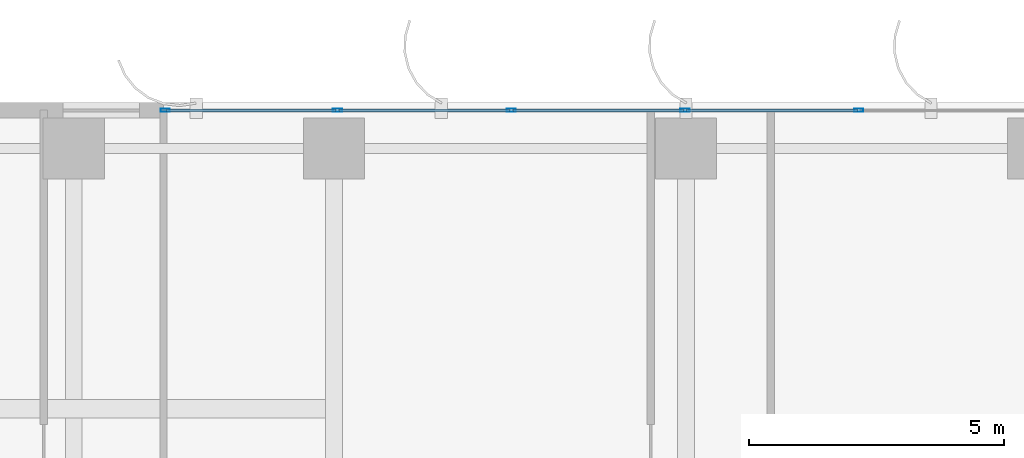
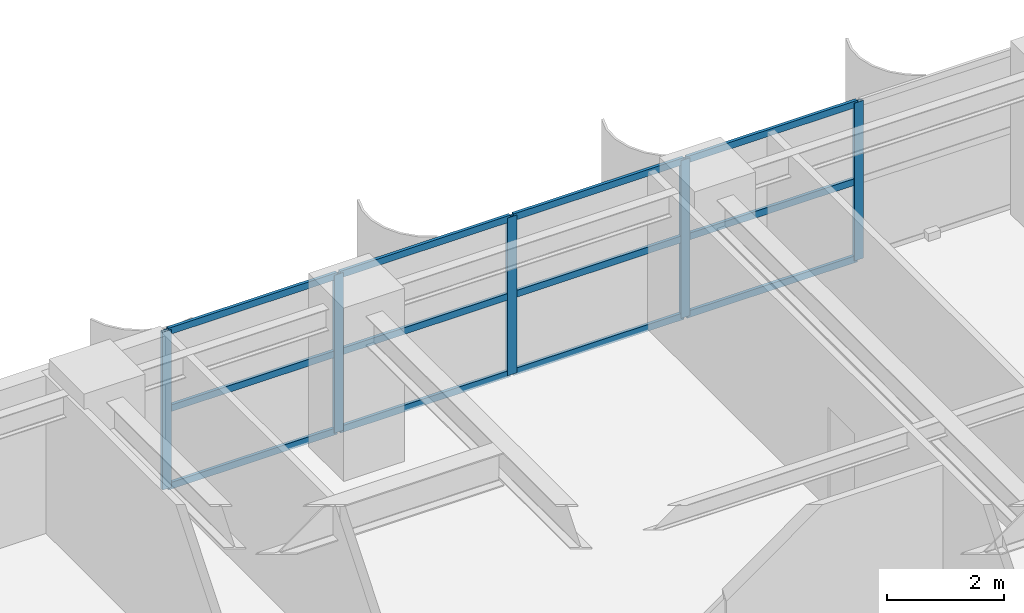
# One storey, part 10 of 23: 17 members, 1 element without a shape of its own.
"""IFC4 building model written with IfcOpenShell, lengths in metres."""

from ifc_helpers import new_model, si_unit, direction, frame, origin, origin_2d, place, context, subcontext, project, spatial, hollow_rectangle, extrude, source, transform, mapped, material, layer, layer_set, material_profile, profile_set, type_object, element, aggregate, save


model = new_model("IFC4")

# Units and contexts
model_context = context("Model", 3, precision=1e-05, world=origin(), true_north=direction((0.0, 1.0)))
body_context = subcontext(model_context, "Body", "Model", "MODEL_VIEW")
ifc_project = project(units=[si_unit("LENGTHUNIT", "METRE"), si_unit("AREAUNIT", "SQUARE_METRE"), si_unit("VOLUMEUNIT", "CUBIC_METRE"), si_unit("PLANEANGLEUNIT", "RADIAN"), si_unit("MASSUNIT", "GRAM", prefix="KILO")], contexts=[model_context])

# Site, building, storey
site_placement = place(None, origin())
site = spatial("IfcSite", under=ifc_project, at=site_placement, CompositionType="ELEMENT")
building_placement = place(site_placement, origin())
building = spatial("IfcBuilding", under=site, at=building_placement, Name="Khoralis Quay Care Tower", CompositionType="ELEMENT")
storey_placement = place(building_placement, frame((0.0, 0.0, 72.89990234375)))
storey = spatial("IfcBuildingStorey", under=building, at=storey_placement, Name="L19", CompositionType="ELEMENT", Elevation=72.89990234375)

# Curtain wall, members
ifc_material = material(Name="Pale anodised aluminium", Category="aluminium")
ifc_layer = layer(ifc_material, 0.179931640625)
ifc_layer_set = layer_set([ifc_layer], Name="Pale anodised aluminium")
curtain_wall_type = type_object("IfcCurtainWallType", Name="CW-SYS-Z1", PredefinedType="NOTDEFINED", material=ifc_layer_set)
curtain_wall_placement = place(storey_placement, origin())
curtain_wall = element("IfcCurtainWall", 1, at=curtain_wall_placement, inside=storey, type_object=curtain_wall_type, Name="L19 Unitised Curtain Wall CW-L19-P1-E10", PredefinedType="NOTDEFINED")
ifc_material_profile_1 = material_profile(ifc_material, hollow_rectangle(XDim=0.06494140625, YDim=0.179931640625, WallThickness=0.00390625, at=origin_2d()), Name="Pale anodised aluminium")
ifc_profile_set_1 = profile_set([ifc_material_profile_1], Name="Pale anodised aluminium")
member_type_1 = type_object("IfcMemberType", Name="CW-MUL-180", PredefinedType="MULLION", material=ifc_profile_set_1)
shared_shape_1 = source(origin(), body_context, "Body", "SweptSolid", [
    extrude(hollow_rectangle(XDim=0.06494140625, YDim=0.179931640625, WallThickness=0.00390625, at=origin_2d()), origin(), (0.0, 0.0, 1.0), 3.280029296875),
])
member_1_placement = place(storey_placement, frame((27.387939453125, 47.85009765625, 0.0), z_axis=(0.0, 0.0, 1.0), x_axis=(0.0, -1.0, 0.0)))
member_1 = element("IfcMember", 2, at=member_1_placement, type_object=member_type_1, Name="CW1 mullion 2", PredefinedType="MULLION", context=body_context, shape_type="MappedRepresentation", body=[
    mapped(shared_shape_1, transform((0.0, 0.0, 0.0), scale=1.0)),
])
member_2_placement = place(storey_placement, frame((23.98095703125, 47.85009765625, 0.0), z_axis=(0.0, 0.0, 1.0), x_axis=(0.0, -1.0, 0.0)))
member_2 = element("IfcMember", 3, at=member_2_placement, type_object=member_type_1, Name="CW1 mullion 3", PredefinedType="MULLION", context=body_context, shape_type="MappedRepresentation", body=[
    mapped(shared_shape_1, transform((0.0, 0.0, 0.0), scale=1.0)),
])
member_3_placement = place(storey_placement, frame((20.573974609375, 47.85009765625, 0.0), z_axis=(0.0, 0.0, 1.0), x_axis=(0.0, -1.0, 0.0)))
member_3 = element("IfcMember", 4, at=member_3_placement, type_object=member_type_1, Name="CW1 mullion 4", PredefinedType="MULLION", context=body_context, shape_type="MappedRepresentation", body=[
    mapped(shared_shape_1, transform((0.0, 0.0, 0.0), scale=1.0)),
])
member_4_placement = place(storey_placement, frame((17.1669921875, 47.85009765625, 0.0), z_axis=(0.0, 0.0, 1.0), x_axis=(0.0, -1.0, 0.0)))
member_4 = element("IfcMember", 5, at=member_4_placement, type_object=member_type_1, Name="CW1 mullion 5", PredefinedType="MULLION", context=body_context, shape_type="MappedRepresentation", body=[
    mapped(shared_shape_1, transform((0.0, 0.0, 0.0), scale=1.0)),
])
member_5_placement = place(storey_placement, frame((13.7900390625, 47.85009765625, 0.0), z_axis=(0.0, 0.0, 1.0), x_axis=(0.0, -1.0, 0.0)))
member_5 = element("IfcMember", 6, at=member_5_placement, type_object=member_type_1, Name="CW1 mullion 6", PredefinedType="MULLION", context=body_context, shape_type="MappedRepresentation", body=[
    mapped(shared_shape_1, transform((0.0, 0.0, 0.0), scale=1.0)),
])
ifc_material_profile_2 = material_profile(ifc_material, hollow_rectangle(XDim=0.06005859375, YDim=0.139892578125, WallThickness=0.00390625, at=origin_2d()), Name="Pale anodised aluminium")
ifc_profile_set_2 = profile_set([ifc_material_profile_2], Name="Pale anodised aluminium")
member_type_2 = type_object("IfcMemberType", Name="CW-TRN-140", PredefinedType="USERDEFINED", material=ifc_profile_set_2)
shared_shape_2 = source(origin(), body_context, "Body", "SweptSolid", [
    extrude(hollow_rectangle(XDim=0.06005859375, YDim=0.139892578125, WallThickness=0.00390625, at=origin_2d()), origin(), (0.0, 0.0, 1.0), 3.346923828125),
])
member_6_placement = place(storey_placement, frame((27.35791015625, 47.85009765625, 0.030029296875), z_axis=(-1.0, 0.0, 0.0), x_axis=(0.0, -1.0, 0.0)))
member_6 = element("IfcMember", 7, at=member_6_placement, type_object=member_type_2, Name="CW1 transom 2.1", ObjectType="TRANSOM", PredefinedType="USERDEFINED", context=body_context, shape_type="MappedRepresentation", body=[
    mapped(shared_shape_2, transform((0.0, 0.0, 0.0), scale=1.0)),
])
member_7_placement = place(storey_placement, frame((27.35791015625, 47.85009765625, 1.64013671875), z_axis=(-1.0, 0.0, 0.0), x_axis=(0.0, -1.0, 0.0)))
member_7 = element("IfcMember", 8, at=member_7_placement, type_object=member_type_2, Name="CW1 transom 2.2", ObjectType="TRANSOM", PredefinedType="USERDEFINED", context=body_context, shape_type="MappedRepresentation", body=[
    mapped(shared_shape_2, transform((0.0, 0.0, 0.0), scale=1.0)),
])
member_8_placement = place(storey_placement, frame((27.35791015625, 47.85009765625, 3.25), z_axis=(-1.0, 0.0, 0.0), x_axis=(0.0, -1.0, 0.0)))
member_8 = element("IfcMember", 9, at=member_8_placement, type_object=member_type_2, Name="CW1 transom 2.3", ObjectType="TRANSOM", PredefinedType="USERDEFINED", context=body_context, shape_type="MappedRepresentation", body=[
    mapped(shared_shape_2, transform((0.0, 0.0, 0.0), scale=1.0)),
])
member_9_placement = place(storey_placement, frame((23.950927734375, 47.85009765625, 0.030029296875), z_axis=(-1.0, 0.0, 0.0), x_axis=(0.0, -1.0, 0.0)))
member_9 = element("IfcMember", 10, at=member_9_placement, type_object=member_type_2, Name="CW1 transom 3.1", ObjectType="TRANSOM", PredefinedType="USERDEFINED", context=body_context, shape_type="MappedRepresentation", body=[
    mapped(shared_shape_2, transform((0.0, 0.0, 0.0), scale=1.0)),
])
member_10_placement = place(storey_placement, frame((23.950927734375, 47.85009765625, 1.64013671875), z_axis=(-1.0, 0.0, 0.0), x_axis=(0.0, -1.0, 0.0)))
member_10 = element("IfcMember", 11, at=member_10_placement, type_object=member_type_2, Name="CW1 transom 3.2", ObjectType="TRANSOM", PredefinedType="USERDEFINED", context=body_context, shape_type="MappedRepresentation", body=[
    mapped(shared_shape_2, transform((0.0, 0.0, 0.0), scale=1.0)),
])
member_11_placement = place(storey_placement, frame((23.950927734375, 47.85009765625, 3.25), z_axis=(-1.0, 0.0, 0.0), x_axis=(0.0, -1.0, 0.0)))
member_11 = element("IfcMember", 12, at=member_11_placement, type_object=member_type_2, Name="CW1 transom 3.3", ObjectType="TRANSOM", PredefinedType="USERDEFINED", context=body_context, shape_type="MappedRepresentation", body=[
    mapped(shared_shape_2, transform((0.0, 0.0, 0.0), scale=1.0)),
])
member_12_placement = place(storey_placement, frame((20.5439453125, 47.85009765625, 0.030029296875), z_axis=(-1.0, 0.0, 0.0), x_axis=(0.0, -1.0, 0.0)))
member_12 = element("IfcMember", 13, at=member_12_placement, type_object=member_type_2, Name="CW1 transom 4.1", ObjectType="TRANSOM", PredefinedType="USERDEFINED", context=body_context, shape_type="MappedRepresentation", body=[
    mapped(shared_shape_2, transform((0.0, 0.0, 0.0), scale=1.0)),
])
member_13_placement = place(storey_placement, frame((20.5439453125, 47.85009765625, 1.64013671875), z_axis=(-1.0, 0.0, 0.0), x_axis=(0.0, -1.0, 0.0)))
member_13 = element("IfcMember", 14, at=member_13_placement, type_object=member_type_2, Name="CW1 transom 4.2", ObjectType="TRANSOM", PredefinedType="USERDEFINED", context=body_context, shape_type="MappedRepresentation", body=[
    mapped(shared_shape_2, transform((0.0, 0.0, 0.0), scale=1.0)),
])
member_14_placement = place(storey_placement, frame((20.5439453125, 47.85009765625, 3.25), z_axis=(-1.0, 0.0, 0.0), x_axis=(0.0, -1.0, 0.0)))
member_14 = element("IfcMember", 15, at=member_14_placement, type_object=member_type_2, Name="CW1 transom 4.3", ObjectType="TRANSOM", PredefinedType="USERDEFINED", context=body_context, shape_type="MappedRepresentation", body=[
    mapped(shared_shape_2, transform((0.0, 0.0, 0.0), scale=1.0)),
])
shared_shape_3 = source(origin(), body_context, "Body", "SweptSolid", [
    extrude(hollow_rectangle(XDim=0.06005859375, YDim=0.139892578125, WallThickness=0.00390625, at=origin_2d()), origin(), (0.0, 0.0, 1.0), 3.31689453125),
])
member_15_placement = place(storey_placement, frame((17.136962890625, 47.85009765625, 0.030029296875), z_axis=(-1.0, 0.0, 0.0), x_axis=(0.0, -1.0, 0.0)))
member_15 = element("IfcMember", 16, at=member_15_placement, type_object=member_type_2, Name="CW1 transom 5.1", ObjectType="TRANSOM", PredefinedType="USERDEFINED", context=body_context, shape_type="MappedRepresentation", body=[
    mapped(shared_shape_3, transform((0.0, 0.0, 0.0), scale=1.0)),
])
member_16_placement = place(storey_placement, frame((17.136962890625, 47.85009765625, 1.64013671875), z_axis=(-1.0, 0.0, 0.0), x_axis=(0.0, -1.0, 0.0)))
member_16 = element("IfcMember", 17, at=member_16_placement, type_object=member_type_2, Name="CW1 transom 5.2", ObjectType="TRANSOM", PredefinedType="USERDEFINED", context=body_context, shape_type="MappedRepresentation", body=[
    mapped(shared_shape_3, transform((0.0, 0.0, 0.0), scale=1.0)),
])
member_17_placement = place(storey_placement, frame((17.136962890625, 47.85009765625, 3.25), z_axis=(-1.0, 0.0, 0.0), x_axis=(0.0, -1.0, 0.0)))
member_17 = element("IfcMember", 18, at=member_17_placement, type_object=member_type_2, Name="CW1 transom 5.3", ObjectType="TRANSOM", PredefinedType="USERDEFINED", context=body_context, shape_type="MappedRepresentation", body=[
    mapped(shared_shape_3, transform((0.0, 0.0, 0.0), scale=1.0)),
])
aggregate(curtain_wall, [member_1, member_2, member_3, member_4, member_5, member_6, member_7, member_8, member_9, member_10, member_11, member_12, member_13, member_14, member_15, member_16, member_17])

save(model, "model.ifc")
